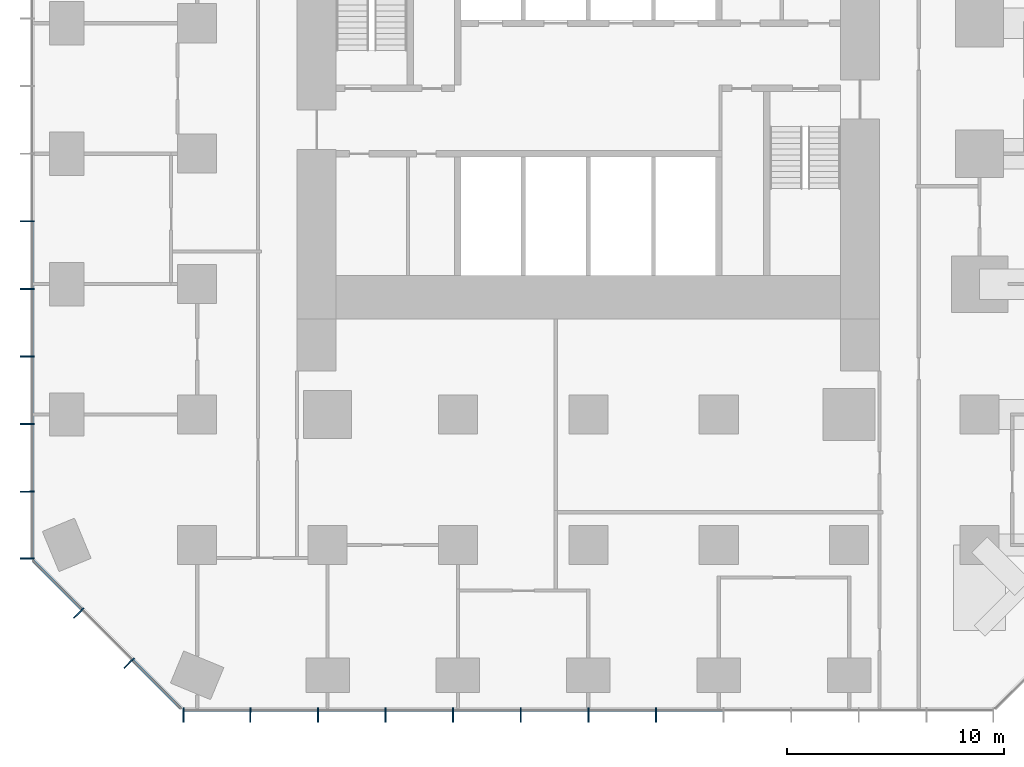
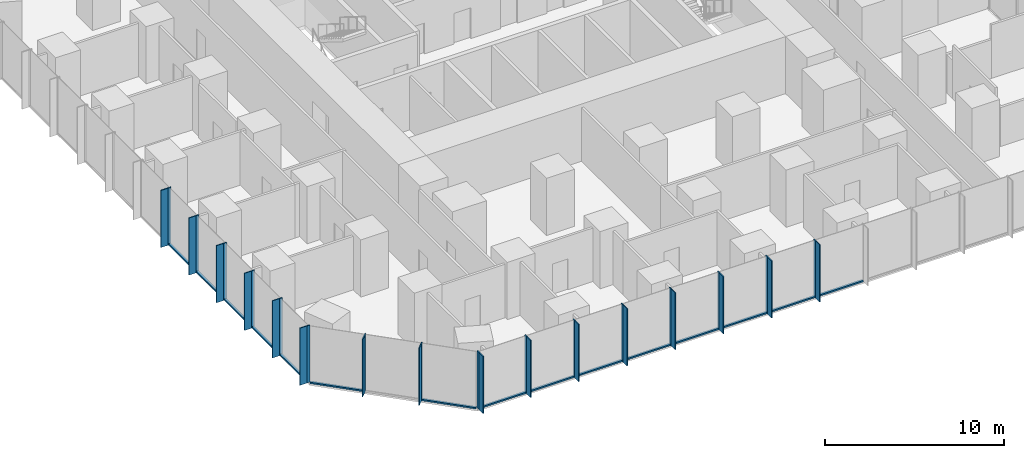
# One storey, part 2 of 12: 47 members, 3 elements without a shape of their own.
"""IFC4 building model written with IfcOpenShell, lengths in metres."""

from ifc_helpers import new_model, si_unit, direction, frame, origin, origin_2d, place, context, subcontext, project, spatial, rectangle, extrude, material, layer, layer_set, material_profile, profile_set, type_object, element, aggregate, save


model = new_model("IFC4")

# Units and contexts
model_context = context("Model", 3, precision=1e-05, world=origin(), true_north=direction((0.0, 1.0)))
body_context = subcontext(model_context, "Body", "Model", "MODEL_VIEW")
ifc_project = project(units=[si_unit("LENGTHUNIT", "METRE"), si_unit("AREAUNIT", "SQUARE_METRE"), si_unit("VOLUMEUNIT", "CUBIC_METRE"), si_unit("PLANEANGLEUNIT", "RADIAN"), si_unit("MASSUNIT", "GRAM", prefix="KILO")], contexts=[model_context])

# Site, building, storey
site_placement = place(None, origin())
site = spatial("IfcSite", under=ifc_project, at=site_placement, CompositionType="ELEMENT")
building_placement = place(site_placement, origin())
building = spatial("IfcBuilding", under=site, at=building_placement, Name="Highveld Stack Headquarters", CompositionType="ELEMENT")
storey_placement = place(building_placement, frame((0.0, 0.0, 57.199951171875)))
storey = spatial("IfcBuildingStorey", under=building, at=storey_placement, Name="L13", CompositionType="ELEMENT", Elevation=57.199951171875)

# Curtain wall, members
ifc_material_1 = material(Name="Aluminium bronze anodised", Category="aluminium")
ifc_layer_1 = layer(ifc_material_1, 0.199951171875)
ifc_layer_set_1 = layer_set([ifc_layer_1], Name="Aluminium bronze anodised")
curtain_wall_type_1 = type_object("IfcCurtainWallType", Name="CW1 TOWER UNITISED CURTAIN WALL", PredefinedType="NOTDEFINED", material=ifc_layer_set_1)
curtain_wall_1_placement = place(storey_placement, origin())
curtain_wall_1 = element("IfcCurtainWall", 1, at=curtain_wall_1_placement, inside=storey, type_object=curtain_wall_type_1, Name="Curtain wall CW1 L13 S", PredefinedType="NOTDEFINED")
ifc_material_2 = material(Name="Aluminium bronze anodised", Category="aluminium")
ifc_material_profile_1 = material_profile(ifc_material_2, rectangle(XDim=0.449951171875, YDim=0.06005859375, at=origin_2d()), Name="FIN 450x60")
ifc_profile_set_1 = profile_set([ifc_material_profile_1], Name="Aluminium bronze anodised")
member_type_1 = type_object("IfcMemberType", Name="CW1 BRONZE FIN 450x60", PredefinedType="USERDEFINED", material=ifc_profile_set_1)
member_1_placement = place(storey_placement, frame((-12.630126953125, -25.925048828125, 0.0), z_axis=(0.0, 0.0, 1.0), x_axis=(0.0, 1.0, 0.0)))
member_1 = element("IfcMember", 2, at=member_1_placement, type_object=member_type_1, Name="CW1 fin L13 1", ObjectType="FIN", PredefinedType="USERDEFINED", context=body_context, shape_type="SweptSolid", body=[
    extrude(rectangle(XDim=0.449951171875, YDim=0.06005859375, at=origin_2d()), origin(), (0.0, 0.0, 1.0), 3.900146484375),
])
member_2_placement = place(storey_placement, frame((-9.55224609375, -25.925048828125, 0.0), z_axis=(0.0, 0.0, 1.0), x_axis=(0.0, 1.0, 0.0)))
member_2 = element("IfcMember", 3, at=member_2_placement, type_object=member_type_1, Name="CW1 fin L13 2", ObjectType="FIN", PredefinedType="USERDEFINED", context=body_context, shape_type="SweptSolid", body=[
    extrude(rectangle(XDim=0.449951171875, YDim=0.06005859375, at=origin_2d()), origin(), (0.0, 0.0, 1.0), 3.900146484375),
])
member_3_placement = place(storey_placement, frame((-6.44189453125, -25.925048828125, 0.0), z_axis=(0.0, 0.0, 1.0), x_axis=(0.0, 1.0, 0.0)))
member_3 = element("IfcMember", 4, at=member_3_placement, type_object=member_type_1, Name="CW1 fin L13 3", ObjectType="FIN", PredefinedType="USERDEFINED", context=body_context, shape_type="SweptSolid", body=[
    extrude(rectangle(XDim=0.449951171875, YDim=0.06005859375, at=origin_2d()), origin(), (0.0, 0.0, 1.0), 3.900146484375),
])
member_4_placement = place(storey_placement, frame((-3.331298828125, -25.925048828125, 0.0), z_axis=(0.0, 0.0, 1.0), x_axis=(0.0, 1.0, 0.0)))
member_4 = element("IfcMember", 5, at=member_4_placement, type_object=member_type_1, Name="CW1 fin L13 4", ObjectType="FIN", PredefinedType="USERDEFINED", context=body_context, shape_type="SweptSolid", body=[
    extrude(rectangle(XDim=0.449951171875, YDim=0.06005859375, at=origin_2d()), origin(), (0.0, 0.0, 1.0), 3.900146484375),
])
member_5_placement = place(storey_placement, frame((-0.220947265625, -25.925048828125, 0.0), z_axis=(0.0, 0.0, 1.0), x_axis=(0.0, 1.0, 0.0)))
member_5 = element("IfcMember", 6, at=member_5_placement, type_object=member_type_1, Name="CW1 fin L13 5", ObjectType="FIN", PredefinedType="USERDEFINED", context=body_context, shape_type="SweptSolid", body=[
    extrude(rectangle(XDim=0.449951171875, YDim=0.06005859375, at=origin_2d()), origin(), (0.0, 0.0, 1.0), 3.900146484375),
])
member_6_placement = place(storey_placement, frame((2.8896484375, -25.925048828125, 0.0), z_axis=(0.0, 0.0, 1.0), x_axis=(0.0, 1.0, 0.0)))
member_6 = element("IfcMember", 7, at=member_6_placement, type_object=member_type_1, Name="CW1 fin L13 6", ObjectType="FIN", PredefinedType="USERDEFINED", context=body_context, shape_type="SweptSolid", body=[
    extrude(rectangle(XDim=0.449951171875, YDim=0.06005859375, at=origin_2d()), origin(), (0.0, 0.0, 1.0), 3.900146484375),
])
member_7_placement = place(storey_placement, frame((6.0, -25.925048828125, 0.0), z_axis=(0.0, 0.0, 1.0), x_axis=(0.0, 1.0, 0.0)))
member_7 = element("IfcMember", 8, at=member_7_placement, type_object=member_type_1, Name="CW1 fin L13 7", ObjectType="FIN", PredefinedType="USERDEFINED", context=body_context, shape_type="SweptSolid", body=[
    extrude(rectangle(XDim=0.449951171875, YDim=0.06005859375, at=origin_2d()), origin(), (0.0, 0.0, 1.0), 3.900146484375),
])
member_8_placement = place(storey_placement, frame((9.110595703125, -25.925048828125, 0.0), z_axis=(0.0, 0.0, 1.0), x_axis=(0.0, 1.0, 0.0)))
member_8 = element("IfcMember", 9, at=member_8_placement, type_object=member_type_1, Name="CW1 fin L13 8", ObjectType="FIN", PredefinedType="USERDEFINED", context=body_context, shape_type="SweptSolid", body=[
    extrude(rectangle(XDim=0.449951171875, YDim=0.06005859375, at=origin_2d()), origin(), (0.0, 0.0, 1.0), 3.900146484375),
])

curtain_wall_2_placement = place(storey_placement, origin())
curtain_wall_2 = element("IfcCurtainWall", 10, at=curtain_wall_2_placement, inside=storey, type_object=curtain_wall_type_1, Name="Curtain wall CW1 L13 W", PredefinedType="NOTDEFINED")
member_9_placement = place(storey_placement, frame((-19.925048828125, -3.110595703125, 0.0), z_axis=(0.0, 0.0, 1.0), x_axis=(1.0, 0.0, 0.0)))
member_9 = element("IfcMember", 11, at=member_9_placement, type_object=member_type_1, Name="CW1 fin L13 8", ObjectType="FIN", PredefinedType="USERDEFINED", context=body_context, shape_type="SweptSolid", body=[
    extrude(rectangle(XDim=0.449951171875, YDim=0.06005859375, at=origin_2d()), origin(), (0.0, 0.0, 1.0), 3.900146484375),
])
member_10_placement = place(storey_placement, frame((-19.925048828125, -6.220947265625, 0.0), z_axis=(0.0, 0.0, 1.0), x_axis=(1.0, 0.0, 0.0)))
member_10 = element("IfcMember", 12, at=member_10_placement, type_object=member_type_1, Name="CW1 fin L13 9", ObjectType="FIN", PredefinedType="USERDEFINED", context=body_context, shape_type="SweptSolid", body=[
    extrude(rectangle(XDim=0.449951171875, YDim=0.06005859375, at=origin_2d()), origin(), (0.0, 0.0, 1.0), 3.900146484375),
])
member_11_placement = place(storey_placement, frame((-19.925048828125, -9.331298828125, 0.0), z_axis=(0.0, 0.0, 1.0), x_axis=(1.0, 0.0, 0.0)))
member_11 = element("IfcMember", 13, at=member_11_placement, type_object=member_type_1, Name="CW1 fin L13 10", ObjectType="FIN", PredefinedType="USERDEFINED", context=body_context, shape_type="SweptSolid", body=[
    extrude(rectangle(XDim=0.449951171875, YDim=0.06005859375, at=origin_2d()), origin(), (0.0, 0.0, 1.0), 3.900146484375),
])
member_12_placement = place(storey_placement, frame((-19.925048828125, -12.44189453125, 0.0), z_axis=(0.0, 0.0, 1.0), x_axis=(1.0, 0.0, 0.0)))
member_12 = element("IfcMember", 14, at=member_12_placement, type_object=member_type_1, Name="CW1 fin L13 11", ObjectType="FIN", PredefinedType="USERDEFINED", context=body_context, shape_type="SweptSolid", body=[
    extrude(rectangle(XDim=0.449951171875, YDim=0.06005859375, at=origin_2d()), origin(), (0.0, 0.0, 1.0), 3.900146484375),
])
member_13_placement = place(storey_placement, frame((-19.925048828125, -15.55224609375, 0.0), z_axis=(0.0, 0.0, 1.0), x_axis=(1.0, 0.0, 0.0)))
member_13 = element("IfcMember", 15, at=member_13_placement, type_object=member_type_1, Name="CW1 fin L13 12", ObjectType="FIN", PredefinedType="USERDEFINED", context=body_context, shape_type="SweptSolid", body=[
    extrude(rectangle(XDim=0.449951171875, YDim=0.06005859375, at=origin_2d()), origin(), (0.0, 0.0, 1.0), 3.900146484375),
])
member_14_placement = place(storey_placement, frame((-19.925048828125, -18.630126953125, 0.0), z_axis=(0.0, 0.0, 1.0), x_axis=(1.0, 0.0, 0.0)))
member_14 = element("IfcMember", 16, at=member_14_placement, type_object=member_type_1, Name="CW1 fin L13 13", ObjectType="FIN", PredefinedType="USERDEFINED", context=body_context, shape_type="SweptSolid", body=[
    extrude(rectangle(XDim=0.449951171875, YDim=0.06005859375, at=origin_2d()), origin(), (0.0, 0.0, 1.0), 3.900146484375),
])

# Member
ifc_material_3 = material(Name="Aluminium bronze anodised", Category="aluminium")
ifc_material_profile_2 = material_profile(ifc_material_3, rectangle(XDim=0.199951171875, YDim=0.06494140625, at=origin_2d()), Name="CW1 MULLION 65x200")
ifc_profile_set_2 = profile_set([ifc_material_profile_2], Name="Aluminium bronze anodised")
member_type_2 = type_object("IfcMemberType", Name="CW1 MULLION 65x200", PredefinedType="MULLION", material=ifc_profile_set_2)
member_15_placement = place(storey_placement, frame((-12.630126953125, -25.60009765625, 0.0), z_axis=(0.0, 0.0, 1.0), x_axis=(0.0, 1.0, 0.0)))
member_15 = element("IfcMember", 17, at=member_15_placement, type_object=member_type_2, Name="CW1 mullion L13 1", PredefinedType="MULLION", context=body_context, shape_type="SweptSolid", body=[
    extrude(rectangle(XDim=0.199951171875, YDim=0.06494140625, at=origin_2d()), origin(), (0.0, 0.0, 1.0), 3.900146484375),
])

member_16_placement = place(storey_placement, frame((-9.55224609375, -25.60009765625, 0.0), z_axis=(0.0, 0.0, 1.0), x_axis=(0.0, 1.0, 0.0)))
member_16 = element("IfcMember", 18, at=member_16_placement, type_object=member_type_2, Name="CW1 mullion L13 2", PredefinedType="MULLION", context=body_context, shape_type="SweptSolid", body=[
    extrude(rectangle(XDim=0.199951171875, YDim=0.06494140625, at=origin_2d()), origin(), (0.0, 0.0, 1.0), 3.900146484375),
])

member_17_placement = place(storey_placement, frame((-6.44189453125, -25.60009765625, 0.0), z_axis=(0.0, 0.0, 1.0), x_axis=(0.0, 1.0, 0.0)))
member_17 = element("IfcMember", 19, at=member_17_placement, type_object=member_type_2, Name="CW1 mullion L13 3", PredefinedType="MULLION", context=body_context, shape_type="SweptSolid", body=[
    extrude(rectangle(XDim=0.199951171875, YDim=0.06494140625, at=origin_2d()), origin(), (0.0, 0.0, 1.0), 3.900146484375),
])

member_18_placement = place(storey_placement, frame((-3.331298828125, -25.60009765625, 0.0), z_axis=(0.0, 0.0, 1.0), x_axis=(0.0, 1.0, 0.0)))
member_18 = element("IfcMember", 20, at=member_18_placement, type_object=member_type_2, Name="CW1 mullion L13 4", PredefinedType="MULLION", context=body_context, shape_type="SweptSolid", body=[
    extrude(rectangle(XDim=0.199951171875, YDim=0.06494140625, at=origin_2d()), origin(), (0.0, 0.0, 1.0), 3.900146484375),
])

member_19_placement = place(storey_placement, frame((-0.220947265625, -25.60009765625, 0.0), z_axis=(0.0, 0.0, 1.0), x_axis=(0.0, 1.0, 0.0)))
member_19 = element("IfcMember", 21, at=member_19_placement, type_object=member_type_2, Name="CW1 mullion L13 5", PredefinedType="MULLION", context=body_context, shape_type="SweptSolid", body=[
    extrude(rectangle(XDim=0.199951171875, YDim=0.06494140625, at=origin_2d()), origin(), (0.0, 0.0, 1.0), 3.900146484375),
])

member_20_placement = place(storey_placement, frame((2.8896484375, -25.60009765625, 0.0), z_axis=(0.0, 0.0, 1.0), x_axis=(0.0, 1.0, 0.0)))
member_20 = element("IfcMember", 22, at=member_20_placement, type_object=member_type_2, Name="CW1 mullion L13 6", PredefinedType="MULLION", context=body_context, shape_type="SweptSolid", body=[
    extrude(rectangle(XDim=0.199951171875, YDim=0.06494140625, at=origin_2d()), origin(), (0.0, 0.0, 1.0), 3.900146484375),
])

member_21_placement = place(storey_placement, frame((6.0, -25.60009765625, 0.0), z_axis=(0.0, 0.0, 1.0), x_axis=(0.0, 1.0, 0.0)))
member_21 = element("IfcMember", 23, at=member_21_placement, type_object=member_type_2, Name="CW1 mullion L13 7", PredefinedType="MULLION", context=body_context, shape_type="SweptSolid", body=[
    extrude(rectangle(XDim=0.199951171875, YDim=0.06494140625, at=origin_2d()), origin(), (0.0, 0.0, 1.0), 3.900146484375),
])

member_22_placement = place(storey_placement, frame((9.110595703125, -25.60009765625, 0.0), z_axis=(0.0, 0.0, 1.0), x_axis=(0.0, 1.0, 0.0)))
member_22 = element("IfcMember", 24, at=member_22_placement, type_object=member_type_2, Name="CW1 mullion L13 8", PredefinedType="MULLION", context=body_context, shape_type="SweptSolid", body=[
    extrude(rectangle(XDim=0.199951171875, YDim=0.06494140625, at=origin_2d()), origin(), (0.0, 0.0, 1.0), 3.900146484375),
])

member_23_placement = place(storey_placement, frame((-19.60009765625, -3.110595703125, 0.0), z_axis=(0.0, 0.0, 1.0), x_axis=(1.0, 0.0, 0.0)))
member_23 = element("IfcMember", 25, at=member_23_placement, type_object=member_type_2, Name="CW1 mullion L13 8", PredefinedType="MULLION", context=body_context, shape_type="SweptSolid", body=[
    extrude(rectangle(XDim=0.199951171875, YDim=0.06494140625, at=origin_2d()), origin(), (0.0, 0.0, 1.0), 3.900146484375),
])

member_24_placement = place(storey_placement, frame((-19.60009765625, -6.220947265625, 0.0), z_axis=(0.0, 0.0, 1.0), x_axis=(1.0, 0.0, 0.0)))
member_24 = element("IfcMember", 26, at=member_24_placement, type_object=member_type_2, Name="CW1 mullion L13 9", PredefinedType="MULLION", context=body_context, shape_type="SweptSolid", body=[
    extrude(rectangle(XDim=0.199951171875, YDim=0.06494140625, at=origin_2d()), origin(), (0.0, 0.0, 1.0), 3.900146484375),
])

member_25_placement = place(storey_placement, frame((-19.60009765625, -9.331298828125, 0.0), z_axis=(0.0, 0.0, 1.0), x_axis=(1.0, 0.0, 0.0)))
member_25 = element("IfcMember", 27, at=member_25_placement, type_object=member_type_2, Name="CW1 mullion L13 10", PredefinedType="MULLION", context=body_context, shape_type="SweptSolid", body=[
    extrude(rectangle(XDim=0.199951171875, YDim=0.06494140625, at=origin_2d()), origin(), (0.0, 0.0, 1.0), 3.900146484375),
])

member_26_placement = place(storey_placement, frame((-19.60009765625, -12.44189453125, 0.0), z_axis=(0.0, 0.0, 1.0), x_axis=(1.0, 0.0, 0.0)))
member_26 = element("IfcMember", 28, at=member_26_placement, type_object=member_type_2, Name="CW1 mullion L13 11", PredefinedType="MULLION", context=body_context, shape_type="SweptSolid", body=[
    extrude(rectangle(XDim=0.199951171875, YDim=0.06494140625, at=origin_2d()), origin(), (0.0, 0.0, 1.0), 3.900146484375),
])

member_27_placement = place(storey_placement, frame((-19.60009765625, -15.55224609375, 0.0), z_axis=(0.0, 0.0, 1.0), x_axis=(1.0, 0.0, 0.0)))
member_27 = element("IfcMember", 29, at=member_27_placement, type_object=member_type_2, Name="CW1 mullion L13 12", PredefinedType="MULLION", context=body_context, shape_type="SweptSolid", body=[
    extrude(rectangle(XDim=0.199951171875, YDim=0.06494140625, at=origin_2d()), origin(), (0.0, 0.0, 1.0), 3.900146484375),
])

member_28_placement = place(storey_placement, frame((-19.60009765625, -18.630126953125, 0.0), z_axis=(0.0, 0.0, 1.0), x_axis=(1.0, 0.0, 0.0)))
member_28 = element("IfcMember", 30, at=member_28_placement, type_object=member_type_2, Name="CW1 mullion L13 13", PredefinedType="MULLION", context=body_context, shape_type="SweptSolid", body=[
    extrude(rectangle(XDim=0.199951171875, YDim=0.06494140625, at=origin_2d()), origin(), (0.0, 0.0, 1.0), 3.900146484375),
])

ifc_material_4 = material(Name="Aluminium bronze anodised", Category="aluminium")
ifc_material_profile_3 = material_profile(ifc_material_4, rectangle(XDim=0.14990234375, YDim=0.10009765625, at=origin_2d()), Name="CW1 TRANSOM 150x100")
ifc_profile_set_3 = profile_set([ifc_material_profile_3], Name="Aluminium bronze anodised")
member_type_3 = type_object("IfcMemberType", Name="CW1 STACK TRANSOM 150x100", PredefinedType="USERDEFINED", material=ifc_profile_set_3)
member_29_placement = place(storey_placement, frame((-12.59765625, -25.60009765625, 0.050048828125), z_axis=(1.0, 0.0, 0.0), x_axis=(0.0, 1.0, 0.0)))
member_29 = element("IfcMember", 31, at=member_29_placement, type_object=member_type_3, Name="CW1 transom L13 1.1", ObjectType="TRANSOM", PredefinedType="USERDEFINED", context=body_context, shape_type="SweptSolid", body=[
    extrude(rectangle(XDim=0.14990234375, YDim=0.10009765625, at=origin_2d()), origin(), (0.0, 0.0, 1.0), 3.012939453125),
])

member_30_placement = place(storey_placement, frame((-9.519775390625, -25.60009765625, 0.050048828125), z_axis=(1.0, 0.0, 0.0), x_axis=(0.0, 1.0, 0.0)))
member_30 = element("IfcMember", 32, at=member_30_placement, type_object=member_type_3, Name="CW1 transom L13 2.1", ObjectType="TRANSOM", PredefinedType="USERDEFINED", context=body_context, shape_type="SweptSolid", body=[
    extrude(rectangle(XDim=0.14990234375, YDim=0.10009765625, at=origin_2d()), origin(), (0.0, 0.0, 1.0), 3.04541015625),
])

member_31_placement = place(storey_placement, frame((-6.4091796875, -25.60009765625, 0.050048828125), z_axis=(1.0, 0.0, 0.0), x_axis=(0.0, 1.0, 0.0)))
member_31 = element("IfcMember", 33, at=member_31_placement, type_object=member_type_3, Name="CW1 transom L13 3.1", ObjectType="TRANSOM", PredefinedType="USERDEFINED", context=body_context, shape_type="SweptSolid", body=[
    extrude(rectangle(XDim=0.14990234375, YDim=0.10009765625, at=origin_2d()), origin(), (0.0, 0.0, 1.0), 3.04541015625),
])

member_32_placement = place(storey_placement, frame((-3.298828125, -25.60009765625, 0.050048828125), z_axis=(1.0, 0.0, 0.0), x_axis=(0.0, 1.0, 0.0)))
member_32 = element("IfcMember", 34, at=member_32_placement, type_object=member_type_3, Name="CW1 transom L13 4.1", ObjectType="TRANSOM", PredefinedType="USERDEFINED", context=body_context, shape_type="SweptSolid", body=[
    extrude(rectangle(XDim=0.14990234375, YDim=0.10009765625, at=origin_2d()), origin(), (0.0, 0.0, 1.0), 3.04541015625),
])

member_33_placement = place(storey_placement, frame((-0.1884765625, -25.60009765625, 0.050048828125), z_axis=(1.0, 0.0, 0.0), x_axis=(0.0, 1.0, 0.0)))
member_33 = element("IfcMember", 35, at=member_33_placement, type_object=member_type_3, Name="CW1 transom L13 5.1", ObjectType="TRANSOM", PredefinedType="USERDEFINED", context=body_context, shape_type="SweptSolid", body=[
    extrude(rectangle(XDim=0.14990234375, YDim=0.10009765625, at=origin_2d()), origin(), (0.0, 0.0, 1.0), 3.045654296875),
])

member_34_placement = place(storey_placement, frame((2.922119140625, -25.60009765625, 0.050048828125), z_axis=(1.0, 0.0, 0.0), x_axis=(0.0, 1.0, 0.0)))
member_34 = element("IfcMember", 36, at=member_34_placement, type_object=member_type_3, Name="CW1 transom L13 6.1", ObjectType="TRANSOM", PredefinedType="USERDEFINED", context=body_context, shape_type="SweptSolid", body=[
    extrude(rectangle(XDim=0.14990234375, YDim=0.10009765625, at=origin_2d()), origin(), (0.0, 0.0, 1.0), 3.04541015625),
])

member_35_placement = place(storey_placement, frame((6.032470703125, -25.60009765625, 0.050048828125), z_axis=(1.0, 0.0, 0.0), x_axis=(0.0, 1.0, 0.0)))
member_35 = element("IfcMember", 37, at=member_35_placement, type_object=member_type_3, Name="CW1 transom L13 7.1", ObjectType="TRANSOM", PredefinedType="USERDEFINED", context=body_context, shape_type="SweptSolid", body=[
    extrude(rectangle(XDim=0.14990234375, YDim=0.10009765625, at=origin_2d()), origin(), (0.0, 0.0, 1.0), 3.04541015625),
])

member_36_placement = place(storey_placement, frame((9.14306640625, -25.60009765625, 0.050048828125), z_axis=(1.0, 0.0, 0.0), x_axis=(0.0, 1.0, 0.0)))
member_36 = element("IfcMember", 38, at=member_36_placement, type_object=member_type_3, Name="CW1 transom L13 8.1", ObjectType="TRANSOM", PredefinedType="USERDEFINED", context=body_context, shape_type="SweptSolid", body=[
    extrude(rectangle(XDim=0.14990234375, YDim=0.10009765625, at=origin_2d()), origin(), (0.0, 0.0, 1.0), 3.04541015625),
])

aggregate(curtain_wall_1, [member_15, member_1, member_16, member_2, member_17, member_3, member_18, member_4, member_19, member_5, member_20, member_6, member_21, member_7, member_22, member_8, member_29, member_30, member_31, member_32, member_33, member_34, member_35, member_36])

member_37_placement = place(storey_placement, frame((-19.60009765625, -3.142822265625, 0.050048828125), z_axis=(0.0, -1.0, 0.0), x_axis=(1.0, 0.0, 0.0)))
member_37 = element("IfcMember", 39, at=member_37_placement, type_object=member_type_3, Name="CW1 transom L13 8.1", ObjectType="TRANSOM", PredefinedType="USERDEFINED", context=body_context, shape_type="SweptSolid", body=[
    extrude(rectangle(XDim=0.14990234375, YDim=0.10009765625, at=origin_2d()), origin(), (0.0, 0.0, 1.0), 3.045654296875),
])

member_38_placement = place(storey_placement, frame((-19.60009765625, -6.25341796875, 0.050048828125), z_axis=(0.0, -1.0, 0.0), x_axis=(1.0, 0.0, 0.0)))
member_38 = element("IfcMember", 40, at=member_38_placement, type_object=member_type_3, Name="CW1 transom L13 9.1", ObjectType="TRANSOM", PredefinedType="USERDEFINED", context=body_context, shape_type="SweptSolid", body=[
    extrude(rectangle(XDim=0.14990234375, YDim=0.10009765625, at=origin_2d()), origin(), (0.0, 0.0, 1.0), 3.04541015625),
])

member_39_placement = place(storey_placement, frame((-19.60009765625, -9.36376953125, 0.050048828125), z_axis=(0.0, -1.0, 0.0), x_axis=(1.0, 0.0, 0.0)))
member_39 = element("IfcMember", 41, at=member_39_placement, type_object=member_type_3, Name="CW1 transom L13 10.1", ObjectType="TRANSOM", PredefinedType="USERDEFINED", context=body_context, shape_type="SweptSolid", body=[
    extrude(rectangle(XDim=0.14990234375, YDim=0.10009765625, at=origin_2d()), origin(), (0.0, 0.0, 1.0), 3.04541015625),
])

member_40_placement = place(storey_placement, frame((-19.60009765625, -12.474365234375, 0.050048828125), z_axis=(0.0, -1.0, 0.0), x_axis=(1.0, 0.0, 0.0)))
member_40 = element("IfcMember", 42, at=member_40_placement, type_object=member_type_3, Name="CW1 transom L13 11.1", ObjectType="TRANSOM", PredefinedType="USERDEFINED", context=body_context, shape_type="SweptSolid", body=[
    extrude(rectangle(XDim=0.14990234375, YDim=0.10009765625, at=origin_2d()), origin(), (0.0, 0.0, 1.0), 3.04541015625),
])

member_41_placement = place(storey_placement, frame((-19.60009765625, -15.584716796875, 0.050048828125), z_axis=(0.0, -1.0, 0.0), x_axis=(1.0, 0.0, 0.0)))
member_41 = element("IfcMember", 43, at=member_41_placement, type_object=member_type_3, Name="CW1 transom L13 12.1", ObjectType="TRANSOM", PredefinedType="USERDEFINED", context=body_context, shape_type="SweptSolid", body=[
    extrude(rectangle(XDim=0.14990234375, YDim=0.10009765625, at=origin_2d()), origin(), (0.0, 0.0, 1.0), 3.012939453125),
])

aggregate(curtain_wall_2, [member_23, member_9, member_24, member_10, member_25, member_11, member_26, member_12, member_27, member_13, member_28, member_14, member_37, member_38, member_39, member_40, member_41])

# Curtain wall, members
ifc_material_5 = material(Name="Aluminium bronze anodised", Category="aluminium")
ifc_layer_2 = layer(ifc_material_5, 0.199951171875)
ifc_layer_set_2 = layer_set([ifc_layer_2], Name="Aluminium bronze anodised")
curtain_wall_type_2 = type_object("IfcCurtainWallType", Name="CW2 TOWER CHAMFER UNITISED CURTAIN WALL", PredefinedType="NOTDEFINED", material=ifc_layer_set_2)
curtain_wall_3_placement = place(storey_placement, origin())
curtain_wall_3 = element("IfcCurtainWall", 44, at=curtain_wall_3_placement, inside=storey, type_object=curtain_wall_type_2, Name="Curtain wall CW2 L13 SW", PredefinedType="NOTDEFINED")
ifc_material_6 = material(Name="Aluminium bronze anodised", Category="aluminium")
ifc_material_profile_4 = material_profile(ifc_material_6, rectangle(XDim=0.449951171875, YDim=0.06005859375, at=origin_2d()), Name="FIN 450x60")
ifc_profile_set_4 = profile_set([ifc_material_profile_4], Name="Aluminium bronze anodised")
member_type_4 = type_object("IfcMemberType", Name="CW2 BRONZE FIN 450x60", PredefinedType="USERDEFINED", material=ifc_profile_set_4)
member_42_placement = place(storey_placement, frame((-17.517333984375, -21.204833984375, 0.0), z_axis=(0.0, 0.0, 1.0), x_axis=(0.707106781187, 0.707106781187, 0.0)))
member_42 = element("IfcMember", 45, at=member_42_placement, type_object=member_type_4, Name="CW2 fin L13 1", ObjectType="FIN", PredefinedType="USERDEFINED", context=body_context, shape_type="SweptSolid", body=[
    extrude(rectangle(XDim=0.449951171875, YDim=0.06005859375, at=origin_2d()), origin(), (0.0, 0.0, 1.0), 3.900146484375),
])
member_43_placement = place(storey_placement, frame((-15.204833984375, -23.517333984375, 0.0), z_axis=(0.0, 0.0, 1.0), x_axis=(0.707106781187, 0.707106781187, 0.0)))
member_43 = element("IfcMember", 46, at=member_43_placement, type_object=member_type_4, Name="CW2 fin L13 2", ObjectType="FIN", PredefinedType="USERDEFINED", context=body_context, shape_type="SweptSolid", body=[
    extrude(rectangle(XDim=0.449951171875, YDim=0.06005859375, at=origin_2d()), origin(), (0.0, 0.0, 1.0), 3.900146484375),
])
ifc_material_7 = material(Name="Aluminium bronze anodised", Category="aluminium")
ifc_material_profile_5 = material_profile(ifc_material_7, rectangle(XDim=0.199951171875, YDim=0.06494140625, at=origin_2d()), Name="CW2 MULLION 65x200")
ifc_profile_set_5 = profile_set([ifc_material_profile_5], Name="Aluminium bronze anodised")
member_type_5 = type_object("IfcMemberType", Name="CW2 MULLION 65x200", PredefinedType="MULLION", material=ifc_profile_set_5)
member_44_placement = place(storey_placement, frame((-17.28759765625, -20.97509765625, 0.0), z_axis=(0.0, 0.0, 1.0), x_axis=(0.707106781187, 0.707106781187, 0.0)))
member_44 = element("IfcMember", 47, at=member_44_placement, type_object=member_type_5, Name="CW2 mullion L13 1", PredefinedType="MULLION", context=body_context, shape_type="SweptSolid", body=[
    extrude(rectangle(XDim=0.199951171875, YDim=0.06494140625, at=origin_2d()), origin(), (0.0, 0.0, 1.0), 3.900146484375),
])
member_45_placement = place(storey_placement, frame((-14.97509765625, -23.28759765625, 0.0), z_axis=(0.0, 0.0, 1.0), x_axis=(0.707106781187, 0.707106781187, 0.0)))
member_45 = element("IfcMember", 48, at=member_45_placement, type_object=member_type_5, Name="CW2 mullion L13 2", PredefinedType="MULLION", context=body_context, shape_type="SweptSolid", body=[
    extrude(rectangle(XDim=0.199951171875, YDim=0.06494140625, at=origin_2d()), origin(), (0.0, 0.0, 1.0), 3.900146484375),
])
ifc_material_8 = material(Name="Aluminium bronze anodised", Category="aluminium")
ifc_material_profile_6 = material_profile(ifc_material_8, rectangle(XDim=0.14990234375, YDim=0.10009765625, at=origin_2d()), Name="CW2 TRANSOM 150x100")
ifc_profile_set_6 = profile_set([ifc_material_profile_6], Name="Aluminium bronze anodised")
member_type_6 = type_object("IfcMemberType", Name="CW2 STACK TRANSOM 150x100", PredefinedType="USERDEFINED", material=ifc_profile_set_6)
member_46_placement = place(storey_placement, frame((-19.529296875, -18.7333984375, 0.050048828125), z_axis=(0.707106781187, -0.707106781187, 0.0), x_axis=(0.707106781187, 0.707106781187, 0.0)))
member_46 = element("IfcMember", 49, at=member_46_placement, type_object=member_type_6, Name="CW2 transom L13 1.1", ObjectType="TRANSOM", PredefinedType="USERDEFINED", context=body_context, shape_type="SweptSolid", body=[
    extrude(rectangle(XDim=0.14990234375, YDim=0.10009765625, at=origin_2d()), origin(), (0.0, 0.0, 1.0), 3.1376953125),
])
member_47_placement = place(storey_placement, frame((-14.9521484375, -23.310546875, 0.050048828125), z_axis=(0.707106781187, -0.707106781187, 0.0), x_axis=(0.707106781187, 0.707106781187, 0.0)))
member_47 = element("IfcMember", 50, at=member_47_placement, type_object=member_type_6, Name="CW2 transom L13 3.1", ObjectType="TRANSOM", PredefinedType="USERDEFINED", context=body_context, shape_type="SweptSolid", body=[
    extrude(rectangle(XDim=0.14990234375, YDim=0.10009765625, at=origin_2d()), origin(), (0.0, 0.0, 1.0), 3.1376953125),
])
aggregate(curtain_wall_3, [member_44, member_42, member_45, member_43, member_46, member_47])

save(model, "model.ifc")
